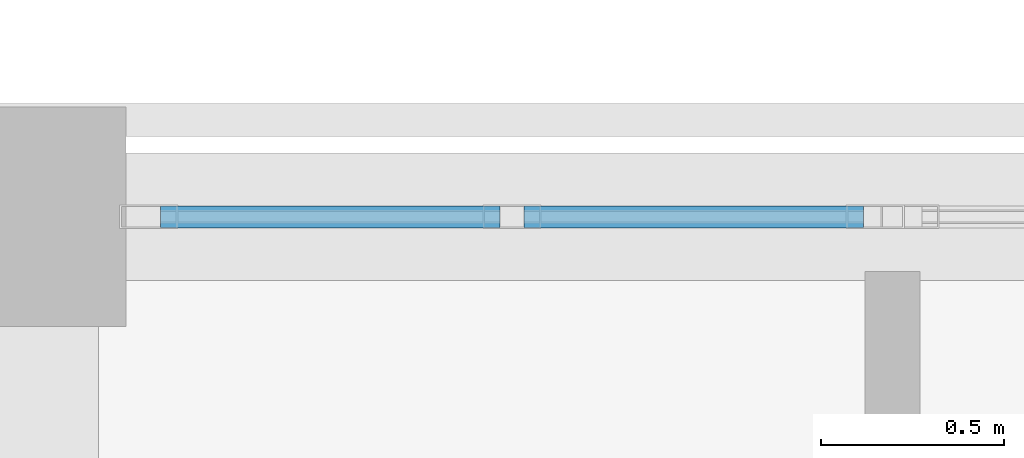
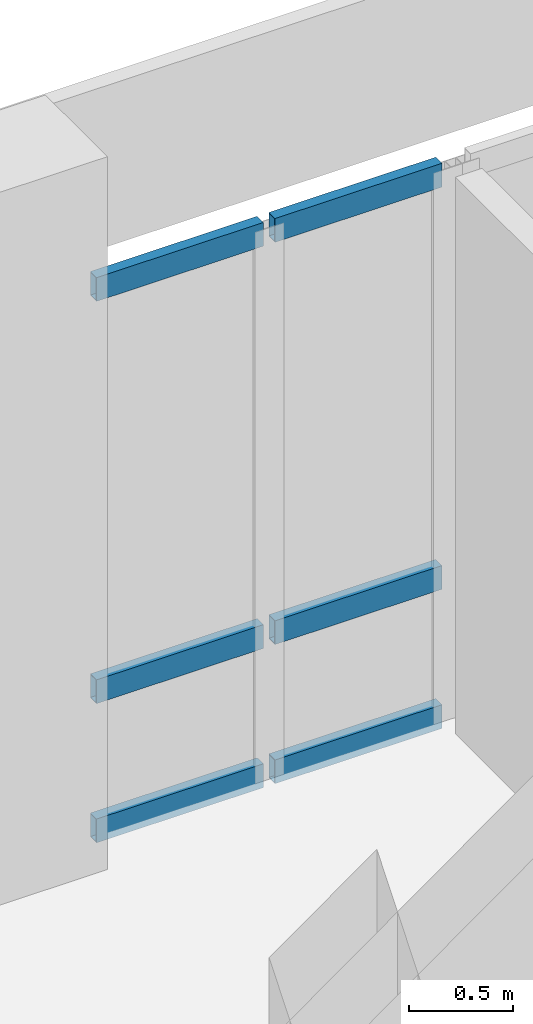
# One storey, part 135 of 185: 6 members, 1 element without a shape of its own.
"""IFC4 building model written with IfcOpenShell, lengths in metres."""

import ifcopenshell
import ifcopenshell.guid

model = None  # the IFC model being written
_history = None  # IfcOwnerHistory: only IFC2X3 demands one
_inside = {}  # id of a spatial element -> (the spatial element, [elements in it])
_under = {}  # id of a project, library or spatial element -> (it, [spatial elements below it])
_declared = {}  # id of a project -> (the project, [libraries it declares])
_typed = {}  # id of a type object -> (the type object, [elements of that type])
_made_of = {}  # id of a material, layer set ... -> (it, [elements and type objects made of it])


def new_model(schema):
    """Start an empty IFC model of exactly this schema.

    Asked for "IFC4X3", IfcOpenShell would pick the latest addendum, in which some entities
    have other attributes; the version numbers below select the first issue.
    IFC2X3 requires an IfcOwnerHistory on every rooted entity: one is made here for all.
    """
    global model, _history
    if schema == "IFC4X3":
        model = ifcopenshell.file(schema_version=(4, 3, 0, 0))
    else:
        model = ifcopenshell.file(schema=schema)
    _inside.clear()
    _under.clear()
    _declared.clear()
    _typed.clear()
    _made_of.clear()
    _history = None
    if model.schema == "IFC2X3":
        org = make("IfcOrganization", Name="unknown")
        user = make(
            "IfcPersonAndOrganization",
            ThePerson=make("IfcPerson", FamilyName="unknown"),
            TheOrganization=org,
        )
        app = make(
            "IfcApplication",
            ApplicationDeveloper=org,
            Version="unknown",
            ApplicationFullName="unknown",
            ApplicationIdentifier="unknown",
        )
        _history = make(
            "IfcOwnerHistory",
            OwningUser=user,
            OwningApplication=app,
            ChangeAction="ADDED",
            CreationDate=0,
        )
    return model


def make(cls, **values):
    """One entity of the class cls with the attributes given. An attribute that is None is left unset."""
    return model.create_entity(
        cls, **{name: value for name, value in values.items() if value is not None}
    )


def rooted(cls, **values):
    """An entity with a GlobalId (a new one), such as an element, a storey or a relation."""
    return make(cls, GlobalId=ifcopenshell.guid.new(), OwnerHistory=_history, **values)


def si_unit(unit_type, name, prefix=None):
    """IfcSIUnit, for example si_unit("LENGTHUNIT", "METRE", prefix="MILLI")."""
    return make("IfcSIUnit", UnitType=unit_type, Prefix=prefix, Name=name)


def assignment(units):
    """IfcUnitAssignment: the units of a project."""
    return None if units is None else make("IfcUnitAssignment", Units=units)


def point(xyz):
    """IfcCartesianPoint."""
    return None if xyz is None else make("IfcCartesianPoint", Coordinates=xyz)


def direction(xyz):
    """IfcDirection."""
    return None if xyz is None else make("IfcDirection", DirectionRatios=xyz)


def frame(location, z_axis=None, x_axis=None):
    """IfcAxis2Placement3D, a coordinate frame: its origin and axes. An axis left out is left unset."""
    return make(
        "IfcAxis2Placement3D",
        Location=point(location),
        Axis=direction(z_axis),
        RefDirection=direction(x_axis),
    )


def frame_2d(location, x_axis=None):
    """IfcAxis2Placement2D, a coordinate frame in the plane: its origin and x axis."""
    return make(
        "IfcAxis2Placement2D", Location=point(location), RefDirection=direction(x_axis)
    )


def origin():
    """The frame at (0, 0, 0) with its axes left unset."""
    return frame((0.0, 0.0, 0.0))


def origin_2d():
    """The frame at (0, 0) in the plane with its x axis left unset."""
    return frame_2d((0.0, 0.0))


def place(relative_to, where):
    """IfcLocalPlacement: puts the frame where relative to a parent placement (None: the world)."""
    return make(
        "IfcLocalPlacement", PlacementRelTo=relative_to, RelativePlacement=where
    )


def context(
    kind, dimensions, precision=None, world=None, true_north=None, identifier=None
):
    """IfcGeometricRepresentationContext, for example the 3D "Model" context."""
    return make(
        "IfcGeometricRepresentationContext",
        ContextIdentifier=identifier,
        ContextType=kind,
        CoordinateSpaceDimension=dimensions,
        Precision=precision,
        WorldCoordinateSystem=world,
        TrueNorth=true_north,
    )


def subcontext(parent, identifier, kind, view, scale=None):
    """IfcGeometricRepresentationSubContext, for example "Body" below "Model"."""
    return make(
        "IfcGeometricRepresentationSubContext",
        ContextIdentifier=identifier,
        ContextType=kind,
        ParentContext=parent,
        TargetScale=scale,
        TargetView=view,
    )


def project(units=None, contexts=None):
    """IfcProject with its units and contexts."""
    return rooted(
        "IfcProject",
        Name="project",
        RepresentationContexts=contexts,
        UnitsInContext=assignment(units),
    )


def spatial(cls, under=None, at=None, **own):
    """A site, building, storey or space (cls), placed at a placement, below another one or the project."""
    s = rooted(cls, ObjectPlacement=at, **own)
    if under is not None:
        _under.setdefault(under.id(), (under, []))[1].append(s)
    return s


def profile(cls, at=None, kind="AREA", **sizes):
    """A parametric profile (cls). Its sizes go by their IFC names, for example OverallWidth=200.0."""
    return make(cls, ProfileType=kind, Position=at, **sizes)


def hollow_rectangle(**sizes):
    """IfcRectangleHollowProfileDef."""
    return profile("IfcRectangleHollowProfileDef", **sizes)


def extrude(swept, where, along, depth):
    """IfcExtrudedAreaSolid: the profile swept, set in the frame where, extruded along a direction by depth."""
    return make(
        "IfcExtrudedAreaSolid",
        SweptArea=swept,
        Position=where,
        ExtrudedDirection=direction(along),
        Depth=depth,
    )


def shape(context_of_items, identifier, shape_type, items):
    """IfcShapeRepresentation: the items that make up one representation, for example the "Body"."""
    return make(
        "IfcShapeRepresentation",
        ContextOfItems=context_of_items,
        RepresentationIdentifier=identifier,
        RepresentationType=shape_type,
        Items=items,
    )


def material(Name=None, Category=None):
    """IfcMaterial."""
    return make("IfcMaterial", Name=Name, Category=Category)


def material_profile(
    of_material, cross_section, Name=None, Category=None, Priority=None
):
    """IfcMaterialProfile: a cross section and its material."""
    return make(
        "IfcMaterialProfile",
        Name=Name,
        Material=of_material,
        Profile=cross_section,
        Priority=Priority,
        Category=Category,
    )


def profile_set(profiles, Name=None, composite=None):
    """IfcMaterialProfileSet."""
    return make(
        "IfcMaterialProfileSet",
        Name=Name,
        MaterialProfiles=profiles,
        CompositeProfile=composite,
    )


def made_of(thing, what):
    """Note that an element or type object is made of a material, layer set ...; save() writes the relation."""
    if what is not None:
        _made_of.setdefault(what.id(), (what, []))[1].append(thing)
    return thing


def type_object(cls, material=None, **own):
    """A type object (cls), such as IfcWallType, which elements share."""
    return made_of(rooted(cls, **own), material)


def element(
    cls,
    number,
    at=None,
    inside=None,
    cuts=None,
    type_object=None,
    material=None,
    context=None,
    identifier="Body",
    shape_type=None,
    held_by="IfcProductDefinitionShape",
    body=None,
    shapes=None,
    **own,
):
    """One element of the class cls, such as IfcWall. Its Tag is "e" and its number.

    at: its placement. inside: the storey or other place that contains it. cuts: it is an
    opening in that element (IfcRelVoidsElement). A single representation is given by context,
    identifier, shape_type and body (its items); several are given by shapes. held_by: the class
    of the entity that holds the representations. save() writes the other relations.
    """
    e = rooted(cls, Tag="e%d" % number, ObjectPlacement=at, **own)
    if body is not None:
        shapes = [shape(context, identifier, shape_type, body)]
    if shapes is not None:
        e.Representation = make(held_by, Representations=shapes)
    if inside is not None:
        _inside.setdefault(inside.id(), (inside, []))[1].append(e)
    if cuts is not None:
        rooted(
            "IfcRelVoidsElement", RelatingBuildingElement=cuts, RelatedOpeningElement=e
        )
    if type_object is not None:
        _typed.setdefault(type_object.id(), (type_object, []))[1].append(e)
    return made_of(e, material)


def aggregate(whole, parts):
    """IfcRelAggregates: a whole, such as a stair, and the parts it consists of."""
    return rooted("IfcRelAggregates", RelatingObject=whole, RelatedObjects=parts)


def save(model, path):
    """Write the relations noted so far, then the file.

    IfcRelAggregates (storeys below a building ...), IfcRelContainedInSpatialStructure (elements
    in a storey), IfcRelDefinesByType, IfcRelAssociatesMaterial and IfcRelDeclares: one each for
    every whole, place, type object, material and project.
    """
    for whole, parts in _under.values():
        aggregate(whole, parts)
    for where, things in _inside.values():
        rooted(
            "IfcRelContainedInSpatialStructure",
            RelatedElements=things,
            RelatingStructure=where,
        )
    for kind, things in _typed.values():
        rooted("IfcRelDefinesByType", RelatedObjects=things, RelatingType=kind)
    for what, things in _made_of.values():
        rooted("IfcRelAssociatesMaterial", RelatedObjects=things, RelatingMaterial=what)
    for by, libraries in _declared.values():
        rooted("IfcRelDeclares", RelatingContext=by, RelatedDefinitions=libraries)
    model.write(path)


model = new_model("IFC4")

# Units and contexts
model_context = context("Model", 3, precision=1e-05, world=origin(), true_north=direction((0.0, 1.0)))
body_context = subcontext(model_context, "Body", "Model", "MODEL_VIEW")
ifc_project = project(units=[si_unit("LENGTHUNIT", "METRE"), si_unit("AREAUNIT", "SQUARE_METRE"), si_unit("VOLUMEUNIT", "CUBIC_METRE"), si_unit("PLANEANGLEUNIT", "RADIAN"), si_unit("MASSUNIT", "GRAM", prefix="KILO")], contexts=[model_context])

# Site, building, storey
site_placement = place(None, origin())
site = spatial("IfcSite", under=ifc_project, at=site_placement, CompositionType="ELEMENT")
building_placement = place(site_placement, origin())
building = spatial("IfcBuilding", under=site, at=building_placement, Name="Vondelvale Polytechnic", CompositionType="ELEMENT")
storey_placement = place(building_placement, frame((0.0, 0.0, 9.60009765625)))
storey = spatial("IfcBuildingStorey", under=building, at=storey_placement, Name="L02", CompositionType="ELEMENT", Elevation=9.60009765625)

# Curtain wall, members
ifc_material = material(Name="Anodised extruded aluminium 6063-T6", Category="aluminium")
curtain_wall_type = type_object("IfcCurtainWallType", Name="CW-STUDIO-NORTH", PredefinedType="NOTDEFINED", material=ifc_material)
curtain_wall_placement = place(storey_placement, origin())
curtain_wall = element("IfcCurtainWall", 1, at=curtain_wall_placement, inside=storey, type_object=curtain_wall_type, Name="L02 architectural curtain wall CW-01-064", PredefinedType="NOTDEFINED")
ifc_material_profile = material_profile(ifc_material, hollow_rectangle(XDim=0.06005859375, YDim=0.139892578125, WallThickness=0.00341796875, at=origin_2d()), Name="CW-TRN-140x60")
ifc_profile_set = profile_set([ifc_material_profile], Name="Anodised extruded aluminium 6063-T6")
member_type = type_object("IfcMemberType", Name="CW-TRN-60x140", PredefinedType="USERDEFINED", material=ifc_profile_set)
member_1_placement = place(storey_placement, frame((144.39501953125, 30.60009765625, 0.02978515625), z_axis=(1.0, 0.0, 0.0), x_axis=(0.0, 1.0, 0.0)))
member_1 = element("IfcMember", 2, at=member_1_placement, type_object=member_type, Name="CW-01-064 transom 1.1", ObjectType="TRANSOM", PredefinedType="USERDEFINED", context=body_context, shape_type="SweptSolid", body=[
    extrude(hollow_rectangle(XDim=0.06005859375, YDim=0.139892578125, WallThickness=0.00341796875, at=origin_2d()), origin(), (0.0, 0.0, 1.0), 0.929931640625),
])
member_2_placement = place(storey_placement, frame((144.39501953125, 30.60009765625, 0.849853515625), z_axis=(1.0, 0.0, 0.0), x_axis=(0.0, 1.0, 0.0)))
member_2 = element("IfcMember", 3, at=member_2_placement, type_object=member_type, Name="CW-01-064 transom 1.2", ObjectType="TRANSOM", PredefinedType="USERDEFINED", context=body_context, shape_type="SweptSolid", body=[
    extrude(hollow_rectangle(XDim=0.06005859375, YDim=0.139892578125, WallThickness=0.00341796875, at=origin_2d()), origin(), (0.0, 0.0, 1.0), 0.929931640625),
])
member_3_placement = place(storey_placement, frame((144.39501953125, 30.60009765625, 3.219970703125), z_axis=(1.0, 0.0, 0.0), x_axis=(0.0, 1.0, 0.0)))
member_3 = element("IfcMember", 4, at=member_3_placement, type_object=member_type, Name="CW-01-064 transom 1.3", ObjectType="TRANSOM", PredefinedType="USERDEFINED", context=body_context, shape_type="SweptSolid", body=[
    extrude(hollow_rectangle(XDim=0.06005859375, YDim=0.139892578125, WallThickness=0.00341796875, at=origin_2d()), origin(), (0.0, 0.0, 1.0), 0.929931640625),
])
member_4_placement = place(storey_placement, frame((145.389892578125, 30.60009765625, 0.02978515625), z_axis=(1.0, 0.0, 0.0), x_axis=(0.0, 1.0, 0.0)))
member_4 = element("IfcMember", 5, at=member_4_placement, type_object=member_type, Name="CW-01-064 transom 2.1", ObjectType="TRANSOM", PredefinedType="USERDEFINED", context=body_context, shape_type="SweptSolid", body=[
    extrude(hollow_rectangle(XDim=0.06005859375, YDim=0.139892578125, WallThickness=0.00341796875, at=origin_2d()), origin(), (0.0, 0.0, 1.0), 0.93017578125),
])
member_5_placement = place(storey_placement, frame((145.389892578125, 30.60009765625, 0.849853515625), z_axis=(1.0, 0.0, 0.0), x_axis=(0.0, 1.0, 0.0)))
member_5 = element("IfcMember", 6, at=member_5_placement, type_object=member_type, Name="CW-01-064 transom 2.2", ObjectType="TRANSOM", PredefinedType="USERDEFINED", context=body_context, shape_type="SweptSolid", body=[
    extrude(hollow_rectangle(XDim=0.06005859375, YDim=0.139892578125, WallThickness=0.00341796875, at=origin_2d()), origin(), (0.0, 0.0, 1.0), 0.93017578125),
])
member_6_placement = place(storey_placement, frame((145.389892578125, 30.60009765625, 3.219970703125), z_axis=(1.0, 0.0, 0.0), x_axis=(0.0, 1.0, 0.0)))
member_6 = element("IfcMember", 7, at=member_6_placement, type_object=member_type, Name="CW-01-064 transom 2.3", ObjectType="TRANSOM", PredefinedType="USERDEFINED", context=body_context, shape_type="SweptSolid", body=[
    extrude(hollow_rectangle(XDim=0.06005859375, YDim=0.139892578125, WallThickness=0.00341796875, at=origin_2d()), origin(), (0.0, 0.0, 1.0), 0.93017578125),
])
aggregate(curtain_wall, [member_1, member_2, member_3, member_4, member_5, member_6])

save(model, "model.ifc")
